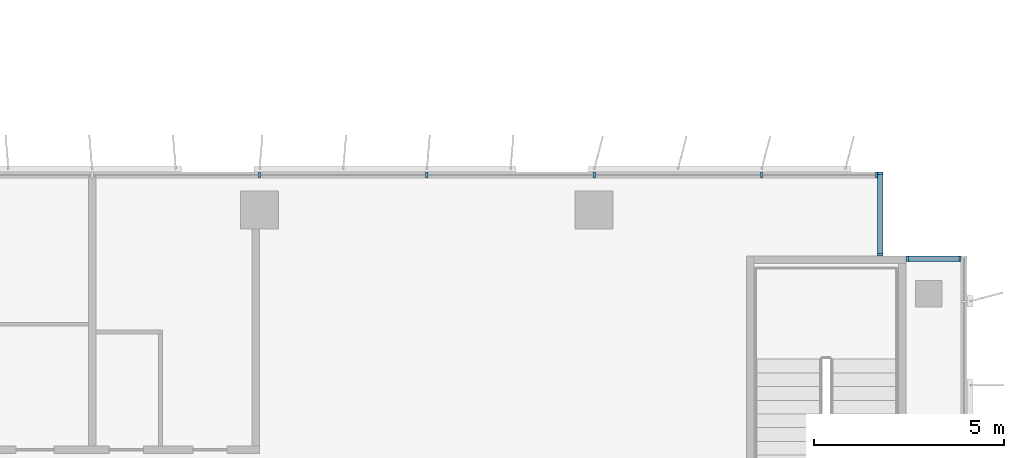
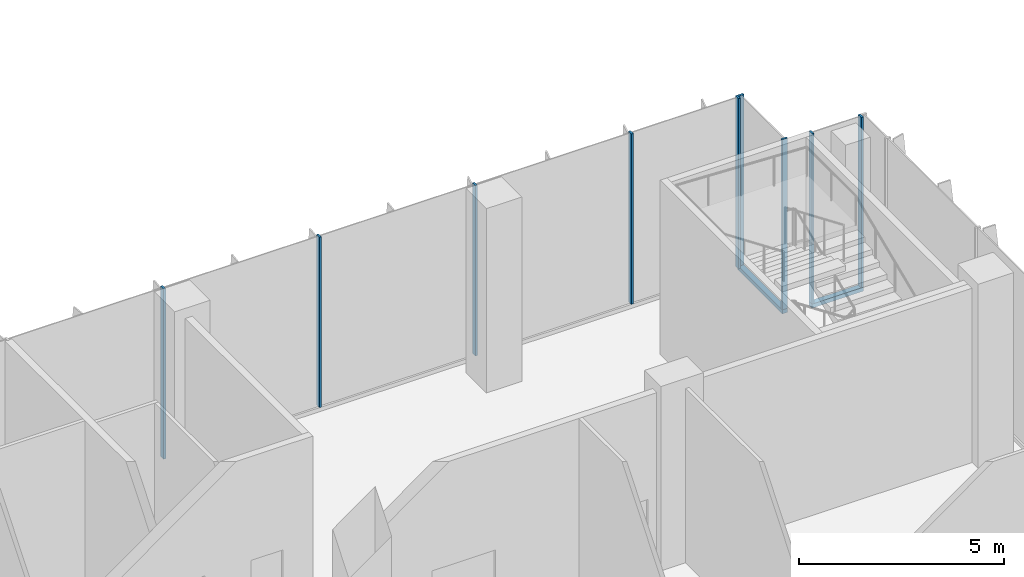
# One storey, part 4 of 24: 11 members, 3 elements without a shape of their own.
"""IFC4 building model written with IfcOpenShell, lengths in metres."""

from ifc_helpers import new_model, si_unit, direction, frame, origin, origin_2d, place, context, subcontext, project, spatial, rectangle, extrude, source, transform, mapped, material, material_profile, profile_set, type_object, element, aggregate, save


model = new_model("IFC4")

# Units and contexts
model_context = context("Model", 3, precision=1e-05, world=origin(), true_north=direction((0.0, 1.0)))
body_context = subcontext(model_context, "Body", "Model", "MODEL_VIEW")
ifc_project = project(units=[si_unit("LENGTHUNIT", "METRE"), si_unit("AREAUNIT", "SQUARE_METRE"), si_unit("VOLUMEUNIT", "CUBIC_METRE"), si_unit("PLANEANGLEUNIT", "RADIAN"), si_unit("MASSUNIT", "GRAM", prefix="KILO")], contexts=[model_context])

# Site, building, storey
site_placement = place(None, origin())
site = spatial("IfcSite", under=ifc_project, at=site_placement, CompositionType="ELEMENT")
building_placement = place(site_placement, origin())
building = spatial("IfcBuilding", under=site, at=building_placement, Name="Kemantara Hotel Tower", CompositionType="ELEMENT")
storey_placement = place(building_placement, frame((0.0, 0.0, 202.5)))
storey = spatial("IfcBuildingStorey", under=building, at=storey_placement, Name="L50", CompositionType="ELEMENT", Elevation=202.5)

# Curtain wall, member
ifc_material_1 = material(Name="Low-E tinted double insulated glass 36 mm", Category="glass")
curtain_wall_type = type_object("IfcCurtainWallType", Name="TOWER CURTAIN WALL, FRONT FACES", PredefinedType="USERDEFINED", material=ifc_material_1)
curtain_wall_1_placement = place(storey_placement, origin())
curtain_wall_1 = element("IfcCurtainWall", 1, at=curtain_wall_1_placement, inside=storey, type_object=curtain_wall_type, Name="CW4 L50 T3S-R13-1", ObjectType="TOWER CURTAIN WALL, FRONT FACES", PredefinedType="USERDEFINED")
ifc_material_2 = material(Name="Aluminium 6063-T6 bronze anodised", Category="aluminium")
ifc_material_profile_1 = material_profile(ifc_material_2, rectangle(XDim=0.14990234375, YDim=0.1201171875, at=origin_2d()), Name="TOWER CURTAIN WALL, FRONT FACES TRANSOM")
ifc_profile_set_1 = profile_set([ifc_material_profile_1], Name="Aluminium 6063-T6 bronze anodised")
member_type_1 = type_object("IfcMemberType", Name="TOWER CURTAIN WALL, FRONT FACES TRANSOM", PredefinedType="USERDEFINED", material=ifc_profile_set_1)
member_1_placement = place(storey_placement, frame((63.449951171875, 19.72509765625, 0.06005859375), z_axis=(-1.0, 0.0, 0.0), x_axis=(0.0, -1.0, 0.0)))
member_1 = element("IfcMember", 2, at=member_1_placement, type_object=member_type_1, Name="CW4 sill transom T3S-R13-1", ObjectType="TRANSOM", PredefinedType="USERDEFINED", context=body_context, shape_type="SweptSolid", body=[
    extrude(rectangle(XDim=0.14990234375, YDim=0.1201171875, at=origin_2d()), origin(), (0.0, 0.0, 1.0), 1.449951171875),
])

curtain_wall_2_placement = place(storey_placement, origin())
curtain_wall_2 = element("IfcCurtainWall", 3, at=curtain_wall_2_placement, inside=storey, type_object=curtain_wall_type, Name="CW4 L50 T3S-R14-1", ObjectType="TOWER CURTAIN WALL, FRONT FACES", PredefinedType="USERDEFINED")
member_2_placement = place(storey_placement, frame((61.324951171875, 19.800048828125, 0.06005859375), z_axis=(0.0, 1.0, 0.0), x_axis=(-1.0, 0.0, 0.0)))
member_2 = element("IfcMember", 4, at=member_2_placement, type_object=member_type_1, Name="CW4 sill transom T3S-R14-1", ObjectType="TRANSOM", PredefinedType="USERDEFINED", context=body_context, shape_type="SweptSolid", body=[
    extrude(rectangle(XDim=0.14990234375, YDim=0.1201171875, at=origin_2d()), origin(), (0.0, 0.0, 1.0), 2.199951171875),
])

# Curtain wall, members
curtain_wall_3_placement = place(storey_placement, origin())
curtain_wall_3 = element("IfcCurtainWall", 5, at=curtain_wall_3_placement, inside=storey, type_object=curtain_wall_type, Name="CW4 L50 T3S-R15-1", ObjectType="TOWER CURTAIN WALL, FRONT FACES", PredefinedType="USERDEFINED")
ifc_material_profile_2 = material_profile(ifc_material_2, rectangle(XDim=0.14990234375, YDim=0.06005859375, at=origin_2d()), Name="TOWER CURTAIN WALL, FRONT FACES MULLION")
ifc_profile_set_2 = profile_set([ifc_material_profile_2], Name="Aluminium 6063-T6 bronze anodised")
member_type_2 = type_object("IfcMemberType", Name="TOWER CURTAIN WALL, FRONT FACES MULLION", PredefinedType="MULLION", material=ifc_profile_set_2)
shared_shape = source(origin(), body_context, "Body", "SweptSolid", [
    extrude(rectangle(XDim=0.14990234375, YDim=0.06005859375, at=origin_2d()), origin(), (0.0, 0.0, 1.0), 5.079833984375),
])
member_3_placement = place(storey_placement, frame((61.219970703125, 21.925048828125, 0.1201171875), z_axis=(0.0, 0.0, 1.0), x_axis=(0.0, -1.0, 0.0)))
member_3 = element("IfcMember", 6, at=member_3_placement, type_object=member_type_2, Name="CW4 mullion T3S-R15-1.1", PredefinedType="MULLION", context=body_context, shape_type="MappedRepresentation", body=[
    mapped(shared_shape, transform((0.0, 0.0, 0.0))),
])
member_4_placement = place(storey_placement, frame((58.199951171875, 21.925048828125, 0.1201171875), z_axis=(0.0, 0.0, 1.0), x_axis=(0.0, -1.0, 0.0)))
member_4 = element("IfcMember", 7, at=member_4_placement, type_object=member_type_2, Name="CW4 mullion T3S-R15-1.2", PredefinedType="MULLION", context=body_context, shape_type="MappedRepresentation", body=[
    mapped(shared_shape, transform((0.0, 0.0, 0.0))),
])
member_5_placement = place(storey_placement, frame((53.800048828125, 21.925048828125, 0.1201171875), z_axis=(0.0, 0.0, 1.0), x_axis=(0.0, -1.0, 0.0)))
member_5 = element("IfcMember", 8, at=member_5_placement, type_object=member_type_2, Name="CW4 mullion T3S-R15-1.3", PredefinedType="MULLION", context=body_context, shape_type="MappedRepresentation", body=[
    mapped(shared_shape, transform((0.0, 0.0, 0.0))),
])
member_6_placement = place(storey_placement, frame((49.39990234375, 21.925048828125, 0.1201171875), z_axis=(0.0, 0.0, 1.0), x_axis=(0.0, -1.0, 0.0)))
member_6 = element("IfcMember", 9, at=member_6_placement, type_object=member_type_2, Name="CW4 mullion T3S-R15-1.4", PredefinedType="MULLION", context=body_context, shape_type="MappedRepresentation", body=[
    mapped(shared_shape, transform((0.0, 0.0, 0.0))),
])
member_7_placement = place(storey_placement, frame((45.0, 21.925048828125, 0.1201171875), z_axis=(0.0, 0.0, 1.0), x_axis=(0.0, -1.0, 0.0)))
member_7 = element("IfcMember", 10, at=member_7_placement, type_object=member_type_2, Name="CW4 mullion T3S-R15-1.5", PredefinedType="MULLION", context=body_context, shape_type="MappedRepresentation", body=[
    mapped(shared_shape, transform((0.0, 0.0, 0.0))),
])
aggregate(curtain_wall_3, [member_3, member_4, member_5, member_6, member_7])

# Member
member_8_placement = place(storey_placement, frame((63.419921875, 19.72509765625, 0.1201171875), z_axis=(0.0, 0.0, 1.0), x_axis=(0.0, -1.0, 0.0)))
member_8 = element("IfcMember", 11, at=member_8_placement, type_object=member_type_2, Name="CW4 mullion T3S-R13-1.1", PredefinedType="MULLION", context=body_context, shape_type="MappedRepresentation", body=[
    mapped(shared_shape, transform((0.0, 0.0, 0.0))),
])

member_9_placement = place(storey_placement, frame((62.030029296875, 19.72509765625, 0.1201171875), z_axis=(0.0, 0.0, 1.0), x_axis=(0.0, -1.0, 0.0)))
member_9 = element("IfcMember", 12, at=member_9_placement, type_object=member_type_2, Name="CW4 mullion T3S-R13-1.2", PredefinedType="MULLION", context=body_context, shape_type="MappedRepresentation", body=[
    mapped(shared_shape, transform((0.0, 0.0, 0.0))),
])

aggregate(curtain_wall_1, [member_1, member_8, member_9])

member_10_placement = place(storey_placement, frame((61.324951171875, 19.830078125, 0.1201171875), z_axis=(0.0, 0.0, 1.0), x_axis=(-1.0, 0.0, 0.0)))
member_10 = element("IfcMember", 13, at=member_10_placement, type_object=member_type_2, Name="CW4 mullion T3S-R14-1.1", PredefinedType="MULLION", context=body_context, shape_type="MappedRepresentation", body=[
    mapped(shared_shape, transform((0.0, 0.0, 0.0))),
])

member_11_placement = place(storey_placement, frame((61.324951171875, 21.969970703125, 0.1201171875), z_axis=(0.0, 0.0, 1.0), x_axis=(-1.0, 0.0, 0.0)))
member_11 = element("IfcMember", 14, at=member_11_placement, type_object=member_type_2, Name="CW4 mullion T3S-R14-1.2", PredefinedType="MULLION", context=body_context, shape_type="MappedRepresentation", body=[
    mapped(shared_shape, transform((0.0, 0.0, 0.0))),
])

aggregate(curtain_wall_2, [member_2, member_10, member_11])

save(model, "model.ifc")
